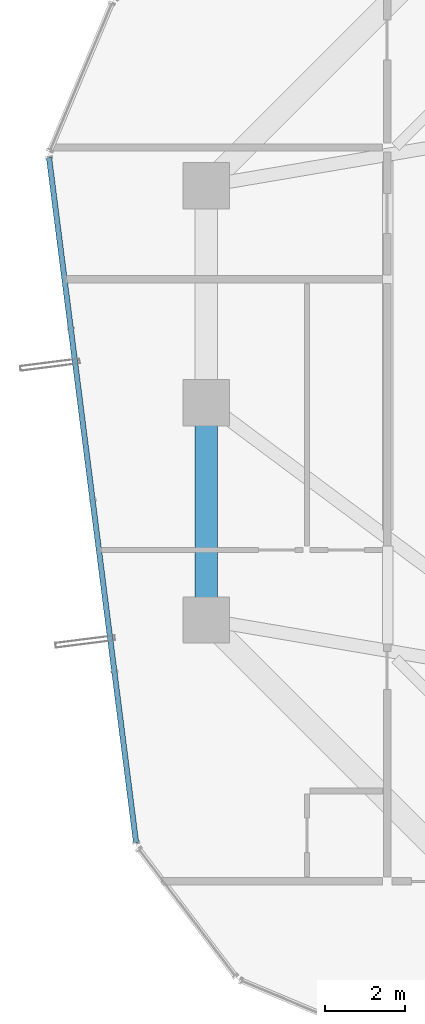
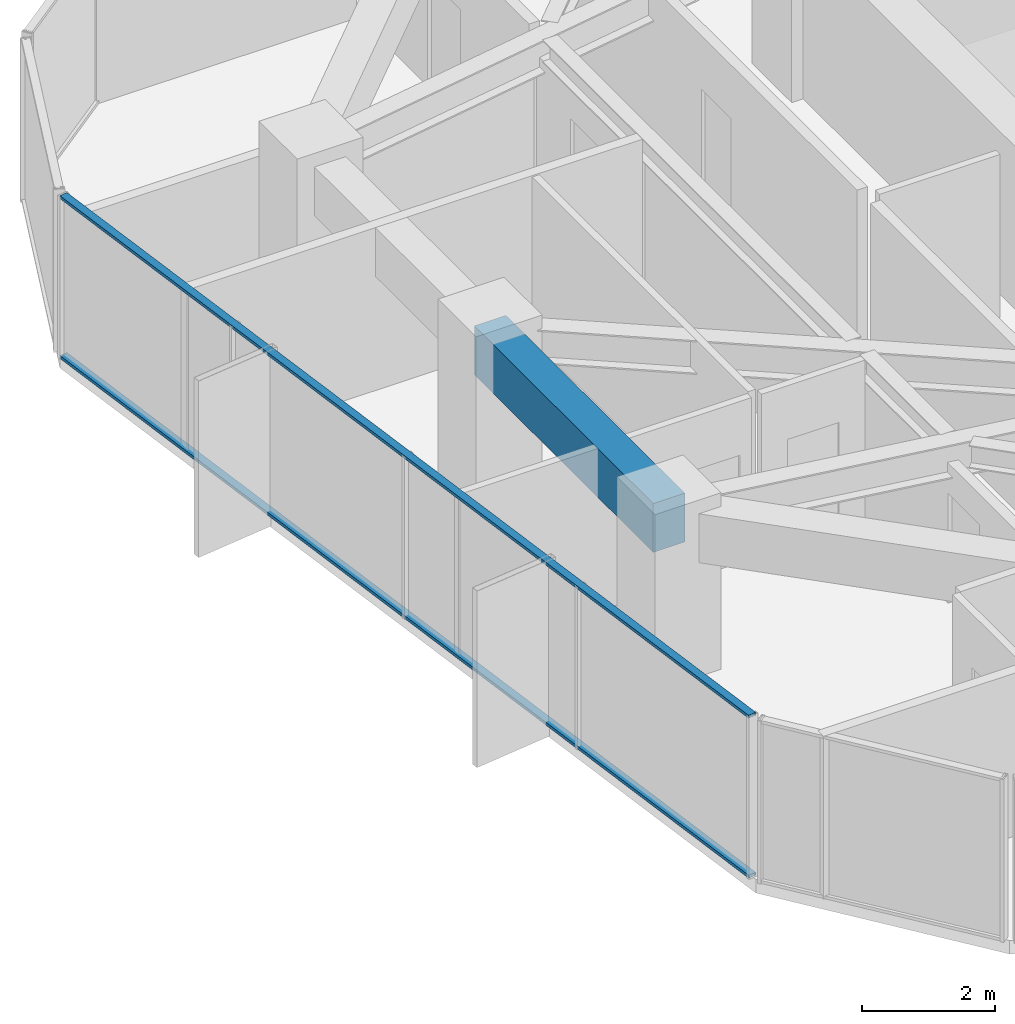
# One storey, part 10 of 33: 2 members, 1 beam, 1 element without a shape of its own.
"""IFC4 building model written with IfcOpenShell, lengths in metres."""

from ifc_helpers import new_model, si_unit, direction, frame, origin, origin_2d, place, context, subcontext, project, spatial, rectangle, hollow_rectangle, extrude, source, transform, mapped, material, layer, layer_set, material_profile, profile_set, type_object, element, aggregate, save


model = new_model("IFC4")

# Units and contexts
model_context = context("Model", 3, precision=1e-05, world=origin(), true_north=direction((0.0, 1.0)))
body_context = subcontext(model_context, "Body", "Model", "MODEL_VIEW")
ifc_project = project(units=[si_unit("LENGTHUNIT", "METRE"), si_unit("AREAUNIT", "SQUARE_METRE"), si_unit("VOLUMEUNIT", "CUBIC_METRE"), si_unit("PLANEANGLEUNIT", "RADIAN"), si_unit("MASSUNIT", "GRAM", prefix="KILO")], contexts=[model_context])

# Site, building, storey
site_placement = place(None, origin())
site = spatial("IfcSite", under=ifc_project, at=site_placement, CompositionType="ELEMENT")
building_placement = place(site_placement, origin())
building = spatial("IfcBuilding", under=site, at=building_placement, Name="Veraguas Prism Commons", CompositionType="ELEMENT")
storey_placement = place(building_placement, frame((0.0, 0.0, 152.25)))
storey = spatial("IfcBuildingStorey", under=building, at=storey_placement, Name="L43", CompositionType="ELEMENT", Elevation=152.25)

# Beam
ifc_material_1 = material(Name="Concrete C50/60", Category="concrete")
ifc_material_profile_1 = material_profile(ifc_material_1, rectangle(XDim=0.550048828125, YDim=0.89990234375, at=origin_2d()), Name="RC550X900")
ifc_profile_set_1 = profile_set([ifc_material_profile_1], Name="Concrete C50/60")
beam_type = type_object("IfcBeamType", Name="Perimeter Spandrel Lower RC 550x900", PredefinedType="SPANDREL", material=ifc_profile_set_1)
beam_placement = place(storey_placement, frame((7.800048828125, 24.0, 2.550048828125), z_axis=(0.0, -1.0, 0.0), x_axis=(1.0, 0.0, 0.0)))
element("IfcBeam", 1, at=beam_placement, inside=storey, type_object=beam_type, Name="Perimeter Spandrel Beam L43-SP08", PredefinedType="SPANDREL", context=body_context, shape_type="SweptSolid", body=[
    extrude(rectangle(XDim=0.550048828125, YDim=0.89990234375, at=origin_2d()), origin(), (0.0, 0.0, 1.0), 5.39990234375),
])

# Curtain wall, members
ifc_material_2 = material(Name="Anodised aluminium EN AW-6063 T6", Category="aluminium")
ifc_layer = layer(ifc_material_2, 0.169921875, Name="Unitised Flush Curtain Wall Zone 2", Category="aluminium")
ifc_layer_set = layer_set([ifc_layer], Name="Anodised aluminium EN AW-6063 T6")
curtain_wall_type = type_object("IfcCurtainWallType", Name="Unitised Flush Curtain Wall Zone 2", PredefinedType="NOTDEFINED", material=ifc_layer_set)
curtain_wall_placement = place(storey_placement, origin())
curtain_wall = element("IfcCurtainWall", 2, at=curtain_wall_placement, inside=storey, type_object=curtain_wall_type, Name="Tower Facade Curtain Wall L43-F3", PredefinedType="NOTDEFINED")
ifc_material_profile_2 = material_profile(ifc_material_2, hollow_rectangle(XDim=0.054931640625, YDim=0.135009765625, WallThickness=0.0029296875, at=origin_2d()), Name="AL55X135X3")
ifc_profile_set_2 = profile_set([ifc_material_profile_2], Name="Anodised aluminium EN AW-6063 T6")
member_type = type_object("IfcMemberType", Name="Curtain Wall Transom Standard AL 55x135x3", PredefinedType="USERDEFINED", material=ifc_profile_set_2)
shared_shape = source(origin(), body_context, "Body", "SweptSolid", [
    extrude(hollow_rectangle(XDim=0.054931640625, YDim=0.135009765625, WallThickness=0.0029296875, at=origin_2d()), origin(), (0.0, 0.0, 1.0), 17.174560546875),
])
member_1_placement = place(storey_placement, frame((3.88818359375, 30.101318359375, 0.027587890625), z_axis=(0.126032492571, -0.992026113979, 0.0), x_axis=(0.0, 0.0, 1.0)))
member_1 = element("IfcMember", 3, at=member_1_placement, type_object=member_type, Name="CW-Z2 Transom 1", ObjectType="TRANSOM", PredefinedType="USERDEFINED", context=body_context, shape_type="MappedRepresentation", body=[
    mapped(shared_shape, transform((0.0, 0.0, 0.0), scale=1.0)),
])
member_2_placement = place(storey_placement, frame((3.88818359375, 30.101318359375, 2.972412109375), z_axis=(0.126032492571, -0.992026113979, 0.0), x_axis=(0.0, 0.0, 1.0)))
member_2 = element("IfcMember", 4, at=member_2_placement, type_object=member_type, Name="CW-Z2 Transom 2", ObjectType="TRANSOM", PredefinedType="USERDEFINED", context=body_context, shape_type="MappedRepresentation", body=[
    mapped(shared_shape, transform((0.0, 0.0, 0.0), scale=1.0)),
])
aggregate(curtain_wall, [member_1, member_2])

save(model, "model.ifc")
